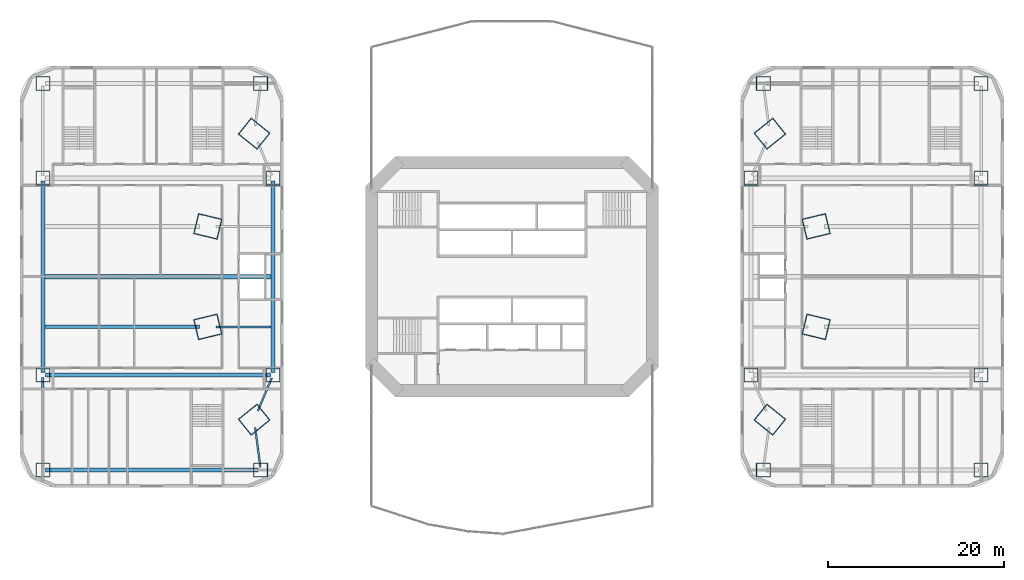
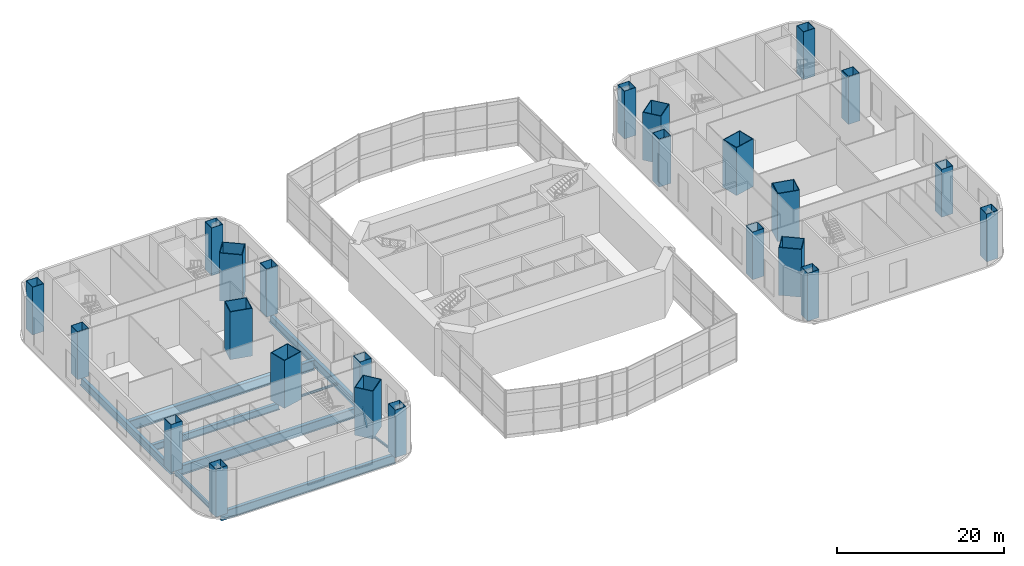
# One storey, part 1 of 19: 24 columns, 10 beams.
"""IFC4 building model written with IfcOpenShell, lengths in metres."""

from ifc_helpers import new_model, si_unit, direction, frame, origin, origin_2d, place, context, subcontext, project, spatial, rectangle, hollow_rectangle, i_section, extrude, material, material_profile, profile_set, type_object, element, save


model = new_model("IFC4")

# Units and contexts
model_context = context("Model", 3, precision=1e-05, world=origin(), true_north=direction((0.0, 1.0)))
body_context = subcontext(model_context, "Body", "Model", "MODEL_VIEW")
ifc_project = project(units=[si_unit("LENGTHUNIT", "METRE"), si_unit("AREAUNIT", "SQUARE_METRE"), si_unit("VOLUMEUNIT", "CUBIC_METRE"), si_unit("PLANEANGLEUNIT", "RADIAN"), si_unit("MASSUNIT", "GRAM", prefix="KILO")], contexts=[model_context])

# Site, building, storey
site_placement = place(None, origin())
site = spatial("IfcSite", under=ifc_project, at=site_placement, CompositionType="ELEMENT")
building_placement = place(site_placement, origin())
building = spatial("IfcBuilding", under=site, at=building_placement, Name="Marenthal Gate Tower", CompositionType="ELEMENT")
storey_placement = place(building_placement, frame((0.0, 0.0, 12.0)))
storey = spatial("IfcBuildingStorey", under=building, at=storey_placement, Name="L01", CompositionType="ELEMENT", Elevation=12.0)

# Columns
ifc_material_1 = material(Name="Steel S460", Category="steel")
ifc_material_profile_1 = material_profile(ifc_material_1, hollow_rectangle(XDim=2.39990234375, YDim=2.800048828125, WallThickness=0.10009765625, at=origin_2d()), Name="CFT BOX 2800X2400X100")
ifc_material_2 = material(Name="Concrete 70 MPa", Category="concrete")
ifc_material_profile_2 = material_profile(ifc_material_2, rectangle(XDim=2.199951171875, YDim=2.60009765625, at=origin_2d()), Name="CFT BOX 2800X2400X100 INFILL")
ifc_profile_set_1 = profile_set([ifc_material_profile_1, ifc_material_profile_2], Name="Steel S460 shell, Concrete 70 MPa infill")
column_type_1 = type_object("IfcColumnType", Name="CFT BOX 2800X2400X100", PredefinedType="COLUMN", material=ifc_profile_set_1)
for number, where, z_axis, x_axis, name in (
    (1, (34.62158203125, 5.716064453125, -0.25), (0.0, 0.0, 1.0), (0.2330465244, -0.972465586777, 0.0), "COL-L01-01"),
    (2, (29.350830078125, 16.2783203125, -0.25), (0.0, 0.0, 1.0), (0.627070248118, -0.778962710228, 0.0), "COL-L01-02"),
    (3, (-29.350830078125, 16.2783203125, -0.25), (0.0, 0.0, 1.0), (0.627070248118, 0.778962710228, 0.0), "COL-L01-07"),
    (4, (-34.62158203125, 5.716064453125, -0.25), (0.0, 0.0, 1.0), (0.2330465244, 0.972465586777, 0.0), "COL-L01-08"),
    (5, (-34.62158203125, -5.716064453125, -0.25), (0.0, 0.0, 1.0), (-0.2330465244, 0.972465586777, 0.0), "COL-L01-09"),
    (6, (-29.350830078125, -16.2783203125, -0.25), (0.0, 0.0, 1.0), (-0.627070248118, 0.778962710228, 0.0), "COL-L01-10"),
    (7, (29.350830078125, -16.2783203125, -0.25), (0.0, 0.0, 1.0), (-0.627070248118, -0.778962710228, 0.0), "COL-L01-15"),
    (8, (34.62158203125, -5.716064453125, -0.25), (0.0, 0.0, 1.0), (-0.2330465244, -0.972465586777, 0.0), "COL-L01-16"),
):
    element("IfcColumn", number, at=place(storey_placement, frame(where, z_axis=z_axis, x_axis=x_axis)), inside=storey, type_object=column_type_1, Name=name, PredefinedType="COLUMN", context=body_context, shape_type="SweptSolid", body=[
        extrude(hollow_rectangle(XDim=2.39990234375, YDim=2.800048828125, WallThickness=0.10009765625, at=origin_2d()), origin(), (0.0, 0.0, 1.0), 7.0),
    ])
ifc_material_3 = material(Name="Steel S460", Category="steel")
ifc_material_profile_3 = material_profile(ifc_material_3, hollow_rectangle(XDim=1.60009765625, YDim=1.60009765625, WallThickness=0.06005859375, at=origin_2d()), Name="CFT BOX 1600X1600X60")
ifc_material_4 = material(Name="Concrete 70 MPa", Category="concrete")
ifc_material_profile_4 = material_profile(ifc_material_4, rectangle(XDim=1.47998046875, YDim=1.47998046875, at=origin_2d()), Name="CFT BOX 1600X1600X60 INFILL")
ifc_profile_set_2 = profile_set([ifc_material_profile_3, ifc_material_profile_4], Name="Steel S460 shell, Concrete 70 MPa infill")
column_type_2 = type_object("IfcColumnType", Name="PODIUM COLUMN 1600X1600X60", PredefinedType="COLUMN", material=ifc_profile_set_2)
for number, where, z_axis, x_axis, name in (
    (9, (53.39990234375, -22.0, -0.25), (0.0, 0.0, 1.0), (1.0, 0.0, 0.0), "COL-L01-31"),
    (10, (28.60009765625, -22.0, -0.25), (0.0, 0.0, 1.0), (1.0, 0.0, 0.0), "COL-L01-32"),
    (11, (53.39990234375, -11.199951171875, -0.25), (0.0, 0.0, 1.0), (1.0, 0.0, 0.0), "COL-L01-33"),
    (12, (27.199951171875, -11.199951171875, -0.25), (0.0, 0.0, 1.0), (1.0, 0.0, 0.0), "COL-L01-34"),
    (13, (53.39990234375, 11.199951171875, -0.25), (0.0, 0.0, 1.0), (1.0, 0.0, 0.0), "COL-L01-35"),
    (14, (27.199951171875, 11.199951171875, -0.25), (0.0, 0.0, 1.0), (1.0, 0.0, 0.0), "COL-L01-36"),
    (15, (53.39990234375, 22.0, -0.25), (0.0, 0.0, 1.0), (1.0, 0.0, 0.0), "COL-L01-37"),
    (16, (28.60009765625, 22.0, -0.25), (0.0, 0.0, 1.0), (1.0, 0.0, 0.0), "COL-L01-38"),
    (17, (-53.39990234375, -22.0, -0.25), (0.0, 0.0, 1.0), (1.0, 0.0, 0.0), "COL-L01-39"),
    (18, (-28.60009765625, -22.0, -0.25), (0.0, 0.0, 1.0), (1.0, 0.0, 0.0), "COL-L01-40"),
    (19, (-53.39990234375, -11.199951171875, -0.25), (0.0, 0.0, 1.0), (1.0, 0.0, 0.0), "COL-L01-41"),
    (20, (-27.199951171875, -11.199951171875, -0.25), (0.0, 0.0, 1.0), (1.0, 0.0, 0.0), "COL-L01-42"),
    (21, (-53.39990234375, 11.199951171875, -0.25), (0.0, 0.0, 1.0), (1.0, 0.0, 0.0), "COL-L01-43"),
    (22, (-27.199951171875, 11.199951171875, -0.25), (0.0, 0.0, 1.0), (1.0, 0.0, 0.0), "COL-L01-44"),
    (23, (-53.39990234375, 22.0, -0.25), (0.0, 0.0, 1.0), (1.0, 0.0, 0.0), "COL-L01-45"),
    (24, (-28.60009765625, 22.0, -0.25), (0.0, 0.0, 1.0), (1.0, 0.0, 0.0), "COL-L01-46"),
):
    element("IfcColumn", number, at=place(storey_placement, frame(where, z_axis=z_axis, x_axis=x_axis)), inside=storey, type_object=column_type_2, Name=name, PredefinedType="COLUMN", context=body_context, shape_type="SweptSolid", body=[
        extrude(hollow_rectangle(XDim=1.60009765625, YDim=1.60009765625, WallThickness=0.06005859375, at=origin_2d()), origin(), (0.0, 0.0, 1.0), 7.0),
    ])

# Beams
ifc_material_5 = material(Name="Steel S355", Category="steel")
ifc_material_profile_5 = material_profile(ifc_material_5, i_section(OverallWidth=0.419921875, OverallDepth=1.0, WebThickness=0.02001953125, FlangeThickness=0.035888671875, at=origin_2d()), Name="PLATE GIRDER 1000X420X20X36")
ifc_profile_set_3 = profile_set([ifc_material_profile_5], Name="Steel S355")
beam_type_1 = type_object("IfcBeamType", Name="PLATE GIRDER 1000X420X20X36 beam", PredefinedType="BEAM", material=ifc_profile_set_3)
beam_1_placement = place(storey_placement, frame((-35.561279296875, -5.716064453125, -0.75), z_axis=(-1.0, 0.0, 0.0), x_axis=(0.0, -1.0, 0.0)))
element("IfcBeam", 25, at=beam_1_placement, inside=storey, type_object=beam_type_1, Name="BM-L01-125", PredefinedType="BEAM", context=body_context, shape_type="SweptSolid", body=[
    extrude(i_section(OverallWidth=0.419921875, OverallDepth=1.0, WebThickness=0.02001953125, FlangeThickness=0.035888671875, at=origin_2d()), origin(), (0.0, 0.0, 1.0), 17.61376953125),
])
ifc_material_6 = material(Name="Steel S355", Category="steel")
ifc_material_profile_6 = material_profile(ifc_material_6, i_section(OverallWidth=0.449951171875, OverallDepth=1.199951171875, WebThickness=0.02197265625, FlangeThickness=0.0400390625, at=origin_2d()), Name="PLATE GIRDER 1200X450X22X40")
ifc_profile_set_4 = profile_set([ifc_material_profile_6], Name="Steel S355")
beam_type_2 = type_object("IfcBeamType", Name="PLATE GIRDER 1200X450X22X40 beam", PredefinedType="BEAM", material=ifc_profile_set_4)
for number, where, z_axis, x_axis, name in (
    (26, (-53.39990234375, -10.89990234375, -0.85009765625), (0.0, 1.0, 0.0), (-1.0, 0.0, 0.0), "BM-L01-119"),
    (27, (-27.199951171875, -10.89990234375, -0.85009765625), (0.0, 1.0, 0.0), (-1.0, 0.0, 0.0), "BM-L01-121"),
):
    element("IfcBeam", number, at=place(storey_placement, frame(where, z_axis=z_axis, x_axis=x_axis)), inside=storey, type_object=beam_type_2, Name=name, PredefinedType="BEAM", context=body_context, shape_type="SweptSolid", body=[
        extrude(i_section(OverallWidth=0.449951171875, OverallDepth=1.199951171875, WebThickness=0.02197265625, FlangeThickness=0.0400390625, at=origin_2d()), origin(), (0.0, 0.0, 1.0), 21.7998046875),
    ])
ifc_material_7 = material(Name="Steel S355", Category="steel")
ifc_material_profile_7 = material_profile(ifc_material_7, i_section(OverallWidth=0.4599609375, OverallDepth=1.300048828125, WebThickness=0.02490234375, FlangeThickness=0.044921875, at=origin_2d()), Name="PLATE GIRDER 1300X460X25X45")
ifc_profile_set_5 = profile_set([ifc_material_profile_7], Name="Steel S355")
beam_type_3 = type_object("IfcBeamType", Name="PLATE GIRDER 1300X460X25X45 beam", PredefinedType="BEAM", material=ifc_profile_set_5)
beam_2_placement = place(storey_placement, frame((-28.89990234375, -22.0, -0.89990234375), z_axis=(-1.0, 0.0, 0.0), x_axis=(0.0, -1.0, 0.0)))
element("IfcBeam", 28, at=beam_2_placement, inside=storey, type_object=beam_type_3, Name="BM-L01-122", PredefinedType="BEAM", context=body_context, shape_type="SweptSolid", body=[
    extrude(i_section(OverallWidth=0.4599609375, OverallDepth=1.300048828125, WebThickness=0.02490234375, FlangeThickness=0.044921875, at=origin_2d()), origin(), (0.0, 0.0, 1.0), 24.2001953125),
])
ifc_material_8 = material(Name="Steel S355", Category="steel")
ifc_material_profile_8 = material_profile(ifc_material_8, i_section(OverallWidth=0.47998046875, OverallDepth=1.39990234375, WebThickness=0.02490234375, FlangeThickness=0.044921875, at=origin_2d()), Name="PLATE GIRDER 1400X480X25X45")
ifc_profile_set_6 = profile_set([ifc_material_profile_8], Name="Steel S355")
beam_type_4 = type_object("IfcBeamType", Name="PLATE GIRDER 1400X480X25X45 beam", PredefinedType="BEAM", material=ifc_profile_set_6)
beam_3_placement = place(storey_placement, frame((-27.5, -11.199951171875, -0.949951171875), z_axis=(-1.0, 0.0, 0.0), x_axis=(0.0, -1.0, 0.0)))
element("IfcBeam", 29, at=beam_3_placement, inside=storey, type_object=beam_type_4, Name="BM-L01-123", PredefinedType="BEAM", context=body_context, shape_type="SweptSolid", body=[
    extrude(i_section(OverallWidth=0.47998046875, OverallDepth=1.39990234375, WebThickness=0.02490234375, FlangeThickness=0.044921875, at=origin_2d()), origin(), (0.0, 0.0, 1.0), 25.60009765625),
])
ifc_material_9 = material(Name="Steel S355", Category="steel")
ifc_material_profile_9 = material_profile(ifc_material_9, i_section(OverallWidth=0.5, OverallDepth=1.5, WebThickness=0.02490234375, FlangeThickness=0.050048828125, at=origin_2d()), Name="PLATE GIRDER 1500X500X25X50")
ifc_profile_set_7 = profile_set([ifc_material_profile_9], Name="Steel S355")
beam_type_5 = type_object("IfcBeamType", Name="PLATE GIRDER 1500X500X25X50 beam", PredefinedType="BEAM", material=ifc_profile_set_7)
beam_4_placement = place(storey_placement, frame((-27.425048828125, 0.0, -1.0), z_axis=(-1.0, 0.0, 0.0), x_axis=(0.0, -1.0, 0.0)))
element("IfcBeam", 30, at=beam_4_placement, inside=storey, type_object=beam_type_5, Name="BM-L01-126", PredefinedType="BEAM", context=body_context, shape_type="SweptSolid", body=[
    extrude(i_section(OverallWidth=0.5, OverallDepth=1.5, WebThickness=0.02490234375, FlangeThickness=0.050048828125, at=origin_2d()), origin(), (0.0, 0.0, 1.0), 25.75),
])
ifc_material_10 = material(Name="Steel S355", Category="steel")
ifc_material_profile_10 = material_profile(ifc_material_10, i_section(OverallWidth=0.202880859375, OverallDepth=0.302001953125, WebThickness=0.007568359375, FlangeThickness=0.01318359375, FilletRadius=0.0126953125, at=origin_2d()), Name="W310X60")
ifc_profile_set_8 = profile_set([ifc_material_profile_10], Name="Steel S355")
beam_type_6 = type_object("IfcBeamType", Name="W310X60 beam", PredefinedType="BEAM", material=ifc_profile_set_8)
beam_5_placement = place(storey_placement, frame((-27.425048828125, -5.716064453125, -0.40087890625), z_axis=(-1.0, 0.0, 0.0), x_axis=(0.0, -1.0, 0.0)))
element("IfcBeam", 31, at=beam_5_placement, inside=storey, type_object=beam_type_6, Name="BM-L01-124", PredefinedType="BEAM", context=body_context, shape_type="SweptSolid", body=[
    extrude(i_section(OverallWidth=0.202880859375, OverallDepth=0.302001953125, WebThickness=0.007568359375, FlangeThickness=0.01318359375, FilletRadius=0.0126953125, at=origin_2d()), origin(), (0.0, 0.0, 1.0), 6.2568359375),
])
beam_6_placement = place(storey_placement, frame((-27.34375, -11.53955078125, -0.40087890625), z_axis=(-0.390030578719, -0.920801904681, 0.0), x_axis=(0.920801904681, -0.390030578719, 0.0)))
element("IfcBeam", 32, at=beam_6_placement, inside=storey, type_object=beam_type_6, Name="BM-L01-133", PredefinedType="BEAM", context=body_context, shape_type="SweptSolid", body=[
    extrude(i_section(OverallWidth=0.202880859375, OverallDepth=0.302001953125, WebThickness=0.007568359375, FlangeThickness=0.01318359375, FilletRadius=0.0126953125, at=origin_2d()), origin(), (0.0, 0.0, 1.0), 4.057373046875),
])
beam_7_placement = place(storey_placement, frame((-29.233154296875, -17.17578125, -0.40087890625), z_axis=(0.130135880417, -0.991496168741, 0.0), x_axis=(0.991496168741, 0.130135880417, 0.0)))
element("IfcBeam", 33, at=beam_7_placement, inside=storey, type_object=beam_type_6, Name="BM-L01-134", PredefinedType="BEAM", context=body_context, shape_type="SweptSolid", body=[
    extrude(i_section(OverallWidth=0.202880859375, OverallDepth=0.302001953125, WebThickness=0.007568359375, FlangeThickness=0.01318359375, FilletRadius=0.0126953125, at=origin_2d()), origin(), (0.0, 0.0, 1.0), 4.558837890625),
])
ifc_material_11 = material(Name="Steel S355", Category="steel")
ifc_material_profile_11 = material_profile(ifc_material_11, i_section(OverallWidth=0.25390625, OverallDepth=0.68310546875, WebThickness=0.012451171875, FlangeThickness=0.018798828125, FilletRadius=0.01513671875, at=origin_2d()), Name="W690X140")
ifc_profile_set_9 = profile_set([ifc_material_profile_11], Name="Steel S355")
beam_type_7 = type_object("IfcBeamType", Name="W690X140 beam", PredefinedType="BEAM", material=ifc_profile_set_9)
beam_8_placement = place(storey_placement, frame((-53.39990234375, -21.699951171875, -0.591552734375), z_axis=(0.0, 1.0, 0.0), x_axis=(-1.0, 0.0, 0.0)))
element("IfcBeam", 34, at=beam_8_placement, inside=storey, type_object=beam_type_7, Name="BM-L01-118", PredefinedType="BEAM", context=body_context, shape_type="SweptSolid", body=[
    extrude(i_section(OverallWidth=0.25390625, OverallDepth=0.68310546875, WebThickness=0.012451171875, FlangeThickness=0.018798828125, FilletRadius=0.01513671875, at=origin_2d()), origin(), (0.0, 0.0, 1.0), 10.199951171875),
])

save(model, "model.ifc")
